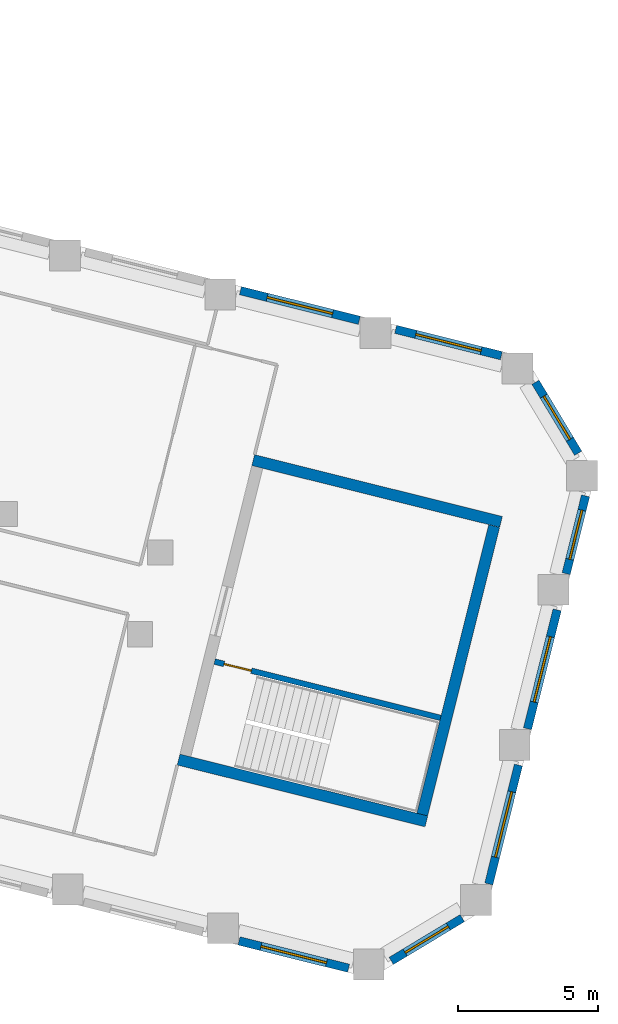
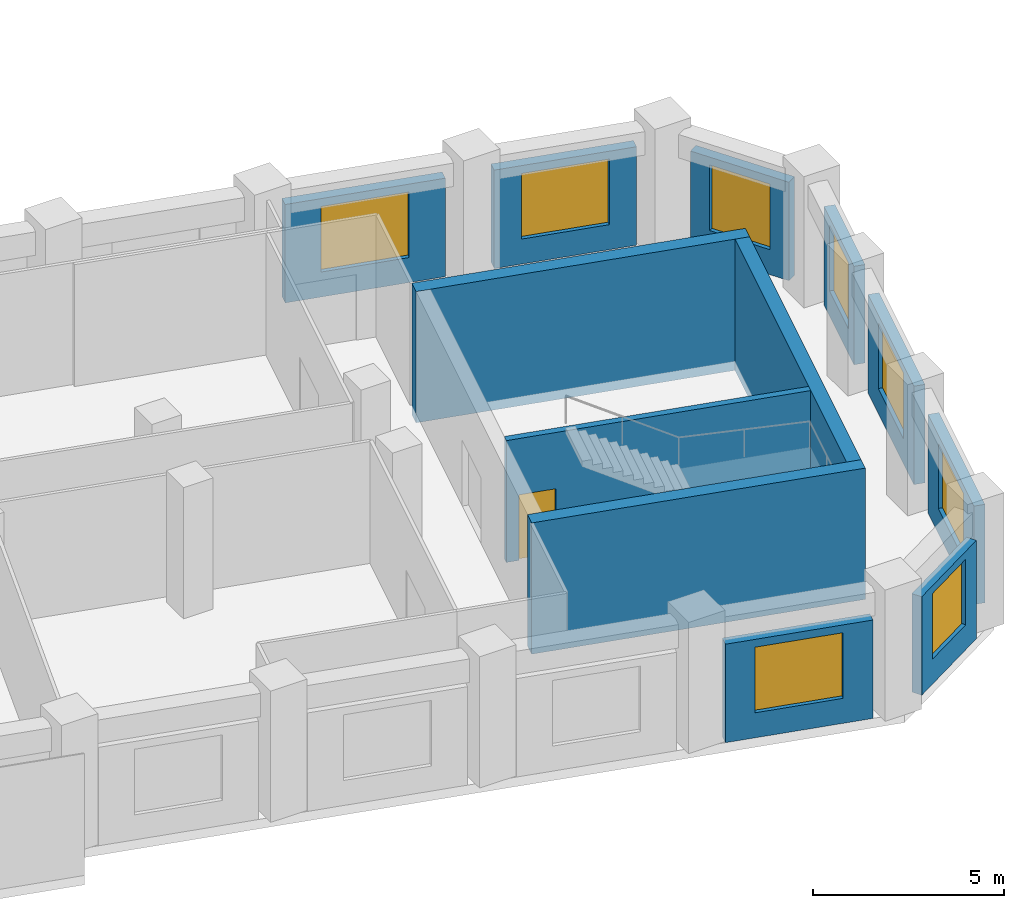
# One storey, part 7 of 10: 12 walls, 8 windows, 1 door, 9 openings.
"""IFC4 building model written with IfcOpenShell, lengths in metres."""

from ifc_helpers import new_model, si_unit, direction, frame, frame_2d, origin, place, context, subcontext, project, spatial, rectangle, extrude, material, layer, layer_set, type_object, element, fill, save


model = new_model("IFC4")

# Units and contexts
model_context = context("Model", 3, precision=1e-05, world=origin(), true_north=direction((0.0, 1.0)))
body_context = subcontext(model_context, "Body", "Model", "MODEL_VIEW")
ifc_project = project(units=[si_unit("LENGTHUNIT", "METRE"), si_unit("AREAUNIT", "SQUARE_METRE"), si_unit("VOLUMEUNIT", "CUBIC_METRE"), si_unit("PLANEANGLEUNIT", "RADIAN"), si_unit("MASSUNIT", "GRAM", prefix="KILO")], contexts=[model_context])

# Site, building, storey
site_placement = place(None, origin())
site = spatial("IfcSite", under=ifc_project, at=site_placement, CompositionType="ELEMENT")
building_placement = place(site_placement, origin())
building = spatial("IfcBuilding", under=site, at=building_placement, Name="Meshkara Civic Tower", CompositionType="ELEMENT")
storey_placement = place(building_placement, frame((0.0, 0.0, 238.199951171875)))
storey = spatial("IfcBuildingStorey", under=building, at=storey_placement, Name="L54", CompositionType="ELEMENT", Elevation=238.199951171875)

# Wall, opening, window
ifc_material_1 = material(Name="Insulated infill panel with bronze anodised aluminium cladding", Category="aluminium")
ifc_layer_1 = layer(ifc_material_1, 0.300048828125)
ifc_layer_set_1 = layer_set([ifc_layer_1], Name="EXTERNAL INFILL WALL 300")
wall_type_1 = type_object("IfcWallType", Name="EXTERNAL INFILL WALL 300", PredefinedType="SOLIDWALL", material=ifc_layer_set_1)
wall_1_placement = place(storey_placement, frame((71.02001953125, 5.635986328125, 0.0), z_axis=(0.0, 0.0, 1.0), x_axis=(-0.970297701374, 0.241913973777, 0.0)))
wall_1 = element("IfcWall", 1, at=wall_1_placement, inside=storey, type_object=wall_type_1, Name="External wall", PredefinedType="SOLIDWALL", context=body_context, shape_type="SweptSolid", body=[
    extrude(rectangle(XDim=3.88134765625, YDim=0.300048828125, at=frame_2d((1.940673828125, 0.0))), origin(), (0.0, 0.0, 1.0), 3.150146484375),
])
opening_1_placement = place(wall_1_placement, frame((0.740966796875, 0.0, 0.800048828125)))
opening_1 = element("IfcOpeningElement", 2, at=opening_1_placement, cuts=wall_1, Name="Opening W7", PredefinedType="OPENING", context=body_context, shape_type="SweptSolid", body=[
    extrude(rectangle(XDim=2.39990234375, YDim=2.10009765625, at=frame_2d((1.199951171875, 1.050048828125))), frame((0.0, 0.159912109375, 0.0), z_axis=(0.0, -1.0, 0.0), x_axis=(1.0, 0.0, 0.0)), (0.0, 0.0, 1.0), 0.320068359375),
])
ifc_material_2 = material(Name="Tinted double glazing", Category="glass")
window_type_1 = type_object("IfcWindowType", Name="WINDOW 2400x2100", PartitioningType="DOUBLE_PANEL_VERTICAL", PredefinedType="WINDOW", material=ifc_material_2)
window_1_placement = place(opening_1_placement, origin())
window_1 = element("IfcWindow", 3, at=window_1_placement, inside=storey, type_object=window_type_1, Name="Window", OverallHeight=2.10009765625, OverallWidth=2.39990234375, PartitioningType="DOUBLE_PANEL_VERTICAL", PredefinedType="WINDOW", context=body_context, shape_type="SweptSolid", body=[
    extrude(rectangle(XDim=2.39990234375, YDim=2.10009765625, at=frame_2d((1.199951171875, 1.050048828125))), frame((0.0, 0.030029296875, 0.0), z_axis=(0.0, -1.0, 0.0), x_axis=(1.0, 0.0, 0.0)), (0.0, 0.0, 1.0), 0.06005859375),
])
fill(opening_1, window_1)

wall_2_placement = place(storey_placement, frame((65.9599609375, 6.89794921875, 0.0), z_axis=(0.0, 0.0, 1.0), x_axis=(-0.970309996763, 0.241864652607, 0.0)))
wall_2 = element("IfcWall", 4, at=wall_2_placement, inside=storey, type_object=wall_type_1, Name="External wall", PredefinedType="SOLIDWALL", context=body_context, shape_type="SweptSolid", body=[
    extrude(rectangle(XDim=4.36669921875, YDim=0.300048828125, at=frame_2d((2.183349609375, 0.0))), origin(), (0.0, 0.0, 1.0), 3.150146484375),
])
opening_2_placement = place(wall_2_placement, frame((0.98291015625, 0.0, 0.800048828125)))
opening_2 = element("IfcOpeningElement", 5, at=opening_2_placement, cuts=wall_2, Name="Opening W7", PredefinedType="OPENING", context=body_context, shape_type="SweptSolid", body=[
    extrude(rectangle(XDim=2.39990234375, YDim=2.10009765625, at=frame_2d((1.199951171875, 1.050048828125))), frame((0.0, 0.159912109375, 0.0), z_axis=(0.0, -1.0, 0.0), x_axis=(1.0, 0.0, 0.0)), (0.0, 0.0, 1.0), 0.320068359375),
])
window_2_placement = place(opening_2_placement, origin())
window_2 = element("IfcWindow", 6, at=window_2_placement, inside=storey, type_object=window_type_1, Name="Window", OverallHeight=2.10009765625, OverallWidth=2.39990234375, PartitioningType="DOUBLE_PANEL_VERTICAL", PredefinedType="WINDOW", context=body_context, shape_type="SweptSolid", body=[
    extrude(rectangle(XDim=2.39990234375, YDim=2.10009765625, at=frame_2d((1.199951171875, 1.050048828125))), frame((0.0, 0.030029296875, 0.0), z_axis=(0.0, -1.0, 0.0), x_axis=(1.0, 0.0, 0.0)), (0.0, 0.0, 1.0), 0.06005859375),
])
fill(opening_2, window_2)

wall_3_placement = place(storey_placement, frame((61.6708984375, -15.220947265625, 0.0), z_axis=(0.0, 0.0, 1.0), x_axis=(0.97026726112, -0.242036034503, 0.0)))
wall_3 = element("IfcWall", 7, at=wall_3_placement, inside=storey, type_object=wall_type_1, Name="External wall", PredefinedType="SOLIDWALL", context=body_context, shape_type="SweptSolid", body=[
    extrude(rectangle(XDim=4.024658203125, YDim=0.300048828125, at=frame_2d((2.01220703125, 0.0))), origin(), (0.0, 0.0, 1.0), 3.150146484375),
])
opening_3_placement = place(wall_3_placement, frame((0.81201171875, 0.0, 0.800048828125)))
opening_3 = element("IfcOpeningElement", 8, at=opening_3_placement, cuts=wall_3, Name="Opening W7", PredefinedType="OPENING", context=body_context, shape_type="SweptSolid", body=[
    extrude(rectangle(XDim=2.39990234375, YDim=2.10009765625, at=frame_2d((1.199951171875, 1.050048828125))), frame((0.0, 0.159912109375, 0.0), z_axis=(0.0, -1.0, 0.0), x_axis=(1.0, 0.0, 0.0)), (0.0, 0.0, 1.0), 0.320068359375),
])
window_3_placement = place(opening_3_placement, origin())
window_3 = element("IfcWindow", 9, at=window_3_placement, inside=storey, type_object=window_type_1, Name="Window", OverallHeight=2.10009765625, OverallWidth=2.39990234375, PartitioningType="DOUBLE_PANEL_VERTICAL", PredefinedType="WINDOW", context=body_context, shape_type="SweptSolid", body=[
    extrude(rectangle(XDim=2.39990234375, YDim=2.10009765625, at=frame_2d((1.199951171875, 1.050048828125))), frame((0.0, 0.030029296875, 0.0), z_axis=(0.0, -1.0, 0.0), x_axis=(1.0, 0.0, 0.0)), (0.0, 0.0, 1.0), 0.06005859375),
])
fill(opening_3, window_3)

wall_4_placement = place(storey_placement, frame((67.097900390625, -15.93408203125, 0.0), z_axis=(0.0, 0.0, 1.0), x_axis=(0.857077006791, 0.515188319384, 0.0)))
wall_4 = element("IfcWall", 10, at=wall_4_placement, inside=storey, type_object=wall_type_1, Name="External wall", PredefinedType="SOLIDWALL", context=body_context, shape_type="SweptSolid", body=[
    extrude(rectangle(XDim=2.9541015625, YDim=0.300048828125, at=frame_2d((1.47705078125, 0.0))), origin(), (0.0, 0.0, 1.0), 3.150146484375),
])
opening_4_placement = place(wall_4_placement, frame((0.576904296875, 0.0, 0.800048828125)))
opening_4 = element("IfcOpeningElement", 11, at=opening_4_placement, cuts=wall_4, Name="Opening W9", PredefinedType="OPENING", context=body_context, shape_type="SweptSolid", body=[
    extrude(rectangle(XDim=1.800048828125, YDim=2.10009765625, at=frame_2d((0.89990234375, 1.050048828125))), frame((0.0, 0.159912109375, 0.0), z_axis=(0.0, -1.0, 0.0), x_axis=(1.0, 0.0, 0.0)), (0.0, 0.0, 1.0), 0.320068359375),
])
ifc_material_3 = material(Name="Tinted double glazing", Category="glass")
window_type_2 = type_object("IfcWindowType", Name="WINDOW 1800x2100", PartitioningType="DOUBLE_PANEL_VERTICAL", PredefinedType="WINDOW", material=ifc_material_3)
window_4_placement = place(opening_4_placement, origin())
window_4 = element("IfcWindow", 12, at=window_4_placement, inside=storey, type_object=window_type_2, Name="Window", OverallHeight=2.10009765625, OverallWidth=1.800048828125, PartitioningType="DOUBLE_PANEL_VERTICAL", PredefinedType="WINDOW", context=body_context, shape_type="SweptSolid", body=[
    extrude(rectangle(XDim=1.800048828125, YDim=2.10009765625, at=frame_2d((0.89990234375, 1.050048828125))), frame((0.0, 0.030029296875, 0.0), z_axis=(0.0, -1.0, 0.0), x_axis=(1.0, 0.0, 0.0)), (0.0, 0.0, 1.0), 0.06005859375),
])
fill(opening_4, window_4)

wall_5_placement = place(storey_placement, frame((70.574951171875, -13.19189453125, 0.0), z_axis=(0.0, 0.0, 1.0), x_axis=(0.241877774353, 0.970306725873, 0.0)))
wall_5 = element("IfcWall", 13, at=wall_5_placement, inside=storey, type_object=wall_type_1, Name="External wall", PredefinedType="SOLIDWALL", context=body_context, shape_type="SweptSolid", body=[
    extrude(rectangle(XDim=4.366455078125, YDim=0.300048828125, at=frame_2d((2.18310546875, 0.0))), origin(), (0.0, 0.0, 1.0), 3.150146484375),
])
opening_5_placement = place(wall_5_placement, frame((0.98291015625, 0.0, 0.800048828125)))
opening_5 = element("IfcOpeningElement", 14, at=opening_5_placement, cuts=wall_5, Name="Opening W7", PredefinedType="OPENING", context=body_context, shape_type="SweptSolid", body=[
    extrude(rectangle(XDim=2.39990234375, YDim=2.10009765625, at=frame_2d((1.199951171875, 1.050048828125))), frame((0.0, 0.159912109375, 0.0), z_axis=(0.0, -1.0, 0.0), x_axis=(1.0, 0.0, 0.0)), (0.0, 0.0, 1.0), 0.320068359375),
])
window_5_placement = place(opening_5_placement, origin())
window_5 = element("IfcWindow", 15, at=window_5_placement, inside=storey, type_object=window_type_1, Name="Window", OverallHeight=2.10009765625, OverallWidth=2.39990234375, PartitioningType="DOUBLE_PANEL_VERTICAL", PredefinedType="WINDOW", context=body_context, shape_type="SweptSolid", body=[
    extrude(rectangle(XDim=2.39990234375, YDim=2.10009765625, at=frame_2d((1.199951171875, 1.050048828125))), frame((0.0, 0.030029296875, 0.0), z_axis=(0.0, -1.0, 0.0), x_axis=(1.0, 0.0, 0.0)), (0.0, 0.0, 1.0), 0.06005859375),
])
fill(opening_5, window_5)

wall_6_placement = place(storey_placement, frame((71.9541015625, -7.660888671875, 0.0), z_axis=(0.0, 0.0, 1.0), x_axis=(0.241877622649, 0.97030676369, 0.0)))
wall_6 = element("IfcWall", 16, at=wall_6_placement, inside=storey, type_object=wall_type_1, Name="External wall", PredefinedType="SOLIDWALL", context=body_context, shape_type="SweptSolid", body=[
    extrude(rectangle(XDim=4.365478515625, YDim=0.300048828125, at=frame_2d((2.1826171875, 0.0))), origin(), (0.0, 0.0, 1.0), 3.150146484375),
])
opening_6_placement = place(wall_6_placement, frame((0.98291015625, 0.0, 0.800048828125)))
opening_6 = element("IfcOpeningElement", 17, at=opening_6_placement, cuts=wall_6, Name="Opening W7", PredefinedType="OPENING", context=body_context, shape_type="SweptSolid", body=[
    extrude(rectangle(XDim=2.39990234375, YDim=2.10009765625, at=frame_2d((1.199951171875, 1.050048828125))), frame((0.0, 0.159912109375, 0.0), z_axis=(0.0, -1.0, 0.0), x_axis=(1.0, 0.0, 0.0)), (0.0, 0.0, 1.0), 0.320068359375),
])
window_6_placement = place(opening_6_placement, origin())
window_6 = element("IfcWindow", 18, at=window_6_placement, inside=storey, type_object=window_type_1, Name="Window", OverallHeight=2.10009765625, OverallWidth=2.39990234375, PartitioningType="DOUBLE_PANEL_VERTICAL", PredefinedType="WINDOW", context=body_context, shape_type="SweptSolid", body=[
    extrude(rectangle(XDim=2.39990234375, YDim=2.10009765625, at=frame_2d((1.199951171875, 1.050048828125))), frame((0.0, 0.030029296875, 0.0), z_axis=(0.0, -1.0, 0.0), x_axis=(1.0, 0.0, 0.0)), (0.0, 0.0, 1.0), 0.06005859375),
])
fill(opening_6, window_6)

wall_7_placement = place(storey_placement, frame((73.3330078125, -2.131103515625, 0.0), z_axis=(0.0, 0.0, 1.0), x_axis=(0.241770612026, 0.970333432981, 0.0)))
wall_7 = element("IfcWall", 19, at=wall_7_placement, inside=storey, type_object=wall_type_1, Name="External wall", PredefinedType="SOLIDWALL", context=body_context, shape_type="SweptSolid", body=[
    extrude(rectangle(XDim=2.853759765625, YDim=0.300048828125, at=frame_2d((1.4267578125, 0.0))), origin(), (0.0, 0.0, 1.0), 3.150146484375),
])
opening_7_placement = place(wall_7_placement, frame((0.527099609375, 0.0, 0.800048828125)))
opening_7 = element("IfcOpeningElement", 20, at=opening_7_placement, cuts=wall_7, Name="Opening W9", PredefinedType="OPENING", context=body_context, shape_type="SweptSolid", body=[
    extrude(rectangle(XDim=1.800048828125, YDim=2.10009765625, at=frame_2d((0.89990234375, 1.050048828125))), frame((0.0, 0.159912109375, 0.0), z_axis=(0.0, -1.0, 0.0), x_axis=(1.0, 0.0, 0.0)), (0.0, 0.0, 1.0), 0.320068359375),
])
window_7_placement = place(opening_7_placement, origin())
window_7 = element("IfcWindow", 21, at=window_7_placement, inside=storey, type_object=window_type_2, Name="Window", OverallHeight=2.10009765625, OverallWidth=1.800048828125, PartitioningType="DOUBLE_PANEL_VERTICAL", PredefinedType="WINDOW", context=body_context, shape_type="SweptSolid", body=[
    extrude(rectangle(XDim=1.800048828125, YDim=2.10009765625, at=frame_2d((0.89990234375, 1.050048828125))), frame((0.0, 0.030029296875, 0.0), z_axis=(0.0, -1.0, 0.0), x_axis=(1.0, 0.0, 0.0)), (0.0, 0.0, 1.0), 0.06005859375),
])
fill(opening_7, window_7)

wall_8_placement = place(storey_placement, frame((73.761962890625, 2.159912109375, 0.0), z_axis=(0.0, 0.0, 1.0), x_axis=(-0.515334317037, 0.856989230786, 0.0)))
wall_8 = element("IfcWall", 22, at=wall_8_placement, inside=storey, type_object=wall_type_1, Name="External wall", PredefinedType="SOLIDWALL", context=body_context, shape_type="SweptSolid", body=[
    extrude(rectangle(XDim=2.953369140625, YDim=0.300048828125, at=frame_2d((1.4765625, 0.0))), origin(), (0.0, 0.0, 1.0), 3.150146484375),
])
opening_8_placement = place(wall_8_placement, frame((0.576904296875, 0.0, 0.800048828125)))
opening_8 = element("IfcOpeningElement", 23, at=opening_8_placement, cuts=wall_8, Name="Opening W9", PredefinedType="OPENING", context=body_context, shape_type="SweptSolid", body=[
    extrude(rectangle(XDim=1.800048828125, YDim=2.10009765625, at=frame_2d((0.89990234375, 1.050048828125))), frame((0.0, 0.159912109375, 0.0), z_axis=(0.0, -1.0, 0.0), x_axis=(1.0, 0.0, 0.0)), (0.0, 0.0, 1.0), 0.320068359375),
])
window_8_placement = place(opening_8_placement, origin())
window_8 = element("IfcWindow", 24, at=window_8_placement, inside=storey, type_object=window_type_2, Name="Window", OverallHeight=2.10009765625, OverallWidth=1.800048828125, PartitioningType="DOUBLE_PANEL_VERTICAL", PredefinedType="WINDOW", context=body_context, shape_type="SweptSolid", body=[
    extrude(rectangle(XDim=1.800048828125, YDim=2.10009765625, at=frame_2d((0.89990234375, 1.050048828125))), frame((0.0, 0.030029296875, 0.0), z_axis=(0.0, -1.0, 0.0), x_axis=(1.0, 0.0, 0.0)), (0.0, 0.0, 1.0), 0.06005859375),
])
fill(opening_8, window_8)

# Walls
ifc_material_4 = material(Name="Concrete C60", Category="concrete")
ifc_layer_2 = layer(ifc_material_4, 0.39990234375)
ifc_layer_set_2 = layer_set([ifc_layer_2], Name="End core ring wall 400 C60")
wall_type_2 = type_object("IfcWallType", Name="End core ring wall 400 C60", PredefinedType="SHEAR", material=ifc_layer_set_2)
wall_9_placement = place(storey_placement, frame((59.51904296875, -8.759033203125, -0.300048828125), z_axis=(0.0, 0.0, 1.0), x_axis=(0.970287509026, -0.241954850805, 0.0)))
element("IfcWall", 25, at=wall_9_placement, inside=storey, type_object=wall_type_2, Name="L54-C028", PredefinedType="SHEAR", context=body_context, shape_type="SweptSolid", body=[
    extrude(rectangle(XDim=9.1005859375, YDim=0.39990234375, at=frame_2d((4.55029296875, 0.0))), origin(), (0.0, 0.0, 1.0), 4.2001953125),
])
wall_10_placement = place(storey_placement, frame((62.179931640625, 1.9140625, -0.300048828125), z_axis=(0.0, 0.0, 1.0), x_axis=(0.970306400786, -0.241879078453, 0.0)))
element("IfcWall", 26, at=wall_10_placement, inside=storey, type_object=wall_type_2, Name="L54-C029", PredefinedType="SHEAR", context=body_context, shape_type="SweptSolid", body=[
    extrude(rectangle(XDim=9.100341796875, YDim=0.39990234375, at=frame_2d((4.55029296875, 0.0))), origin(), (0.0, 0.0, 1.0), 4.2001953125),
])
wall_11_placement = place(storey_placement, frame((68.202880859375, -10.718017578125, -0.300048828125), z_axis=(0.0, 0.0, 1.0), x_axis=(0.241912337509, 0.970298109326, 0.0)))
element("IfcWall", 27, at=wall_11_placement, inside=storey, type_object=wall_type_2, Name="L54-C031", PredefinedType="SHEAR", context=body_context, shape_type="SweptSolid", body=[
    extrude(rectangle(XDim=10.599853515625, YDim=0.39990234375, at=frame_2d((5.2998046875, 0.0))), origin(), (0.0, 0.0, 1.0), 4.2001953125),
])

# Wall, opening, door
ifc_material_5 = material(Name="Concrete C40/50", Category="concrete")
ifc_layer_3 = layer(ifc_material_5, 0.199951171875)
ifc_layer_set_3 = layer_set([ifc_layer_3], Name="Stair enclosure wall 200 C40/50")
wall_type_3 = type_object("IfcWallType", Name="Stair enclosure wall 200 C40/50", PredefinedType="SOLIDWALL", material=ifc_layer_set_3)
wall_12_placement = place(storey_placement, frame((60.802001953125, -5.26611328125, 0.0), z_axis=(0.0, 0.0, 1.0), x_axis=(0.970303192681, -0.241891947516, 0.0)))
wall_12 = element("IfcWall", 28, at=wall_12_placement, inside=storey, type_object=wall_type_3, Name="L54-C032", PredefinedType="SOLIDWALL", context=body_context, shape_type="SweptSolid", body=[
    extrude(rectangle(XDim=8.300537109375, YDim=0.199951171875, at=frame_2d((4.150390625, 0.0))), origin(), (0.0, 0.0, 1.0), 3.900146484375),
])
opening_9_placement = place(wall_12_placement, frame((0.35009765625, 0.0, 0.0)))
opening_9 = element("IfcOpeningElement", 29, at=opening_9_placement, cuts=wall_12, Name="Opening L54-K201", PredefinedType="OPENING", context=body_context, shape_type="SweptSolid", body=[
    extrude(rectangle(XDim=1.0, YDim=2.10009765625, at=frame_2d((0.5, 1.050048828125))), frame((0.0, 0.10986328125, 0.0), z_axis=(0.0, -1.0, 0.0), x_axis=(1.0, 0.0, 0.0)), (0.0, 0.0, 1.0), 0.219970703125),
])
ifc_material_6 = material(Name="Fire-rated door leaf in steel frame", Category="steel")
door_type = type_object("IfcDoorType", Name="Stair door 1000 EI 120", OperationType="SINGLE_SWING_LEFT", PredefinedType="DOOR", material=ifc_material_6)
door_placement = place(opening_9_placement, origin())
door = element("IfcDoor", 30, at=door_placement, inside=storey, type_object=door_type, Name="L54-K201", OperationType="SINGLE_SWING_LEFT", OverallHeight=2.10009765625, OverallWidth=1.0, PredefinedType="DOOR", context=body_context, shape_type="SweptSolid", body=[
    extrude(rectangle(XDim=1.0, YDim=2.10009765625, at=frame_2d((0.5, 1.050048828125))), frame((0.0, 0.02490234375, 0.0), z_axis=(0.0, -1.0, 0.0), x_axis=(1.0, 0.0, 0.0)), (0.0, 0.0, 1.0), 0.050048828125),
])
fill(opening_9, door)

save(model, "model.ifc")
